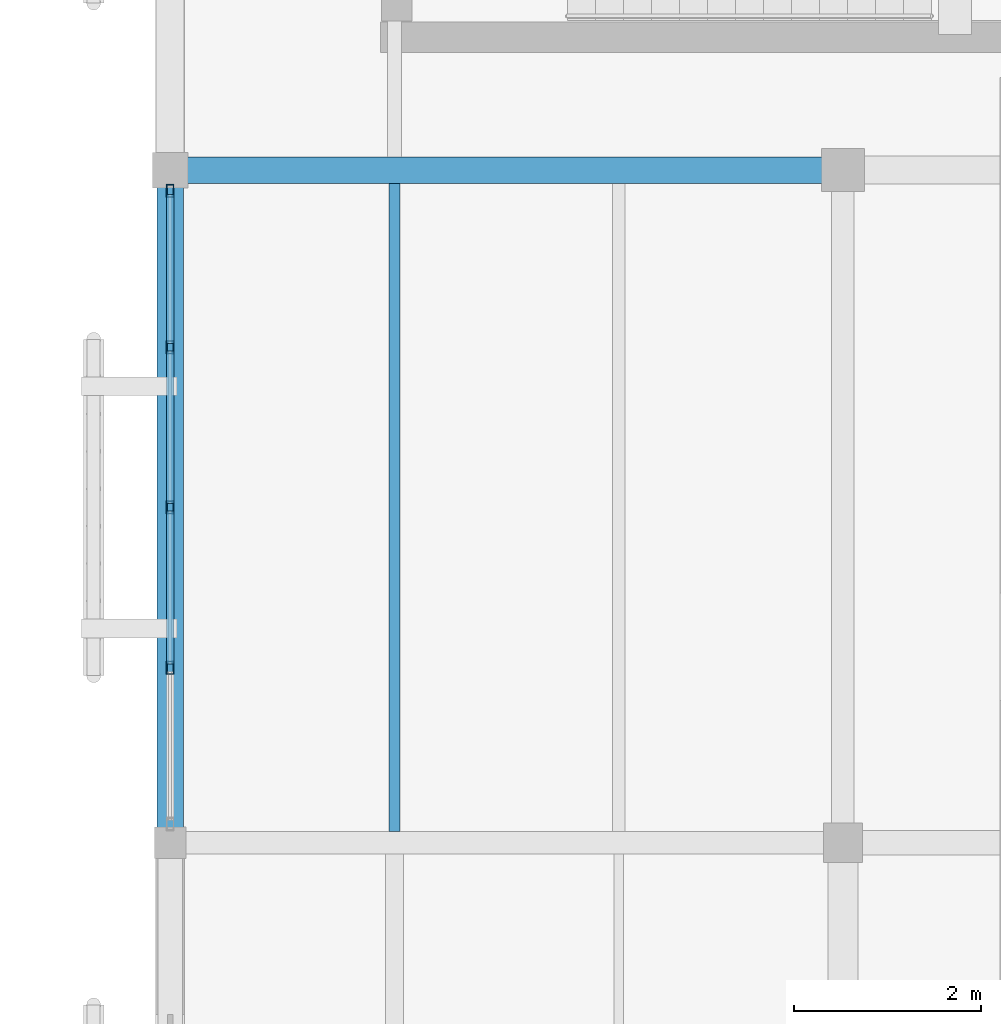
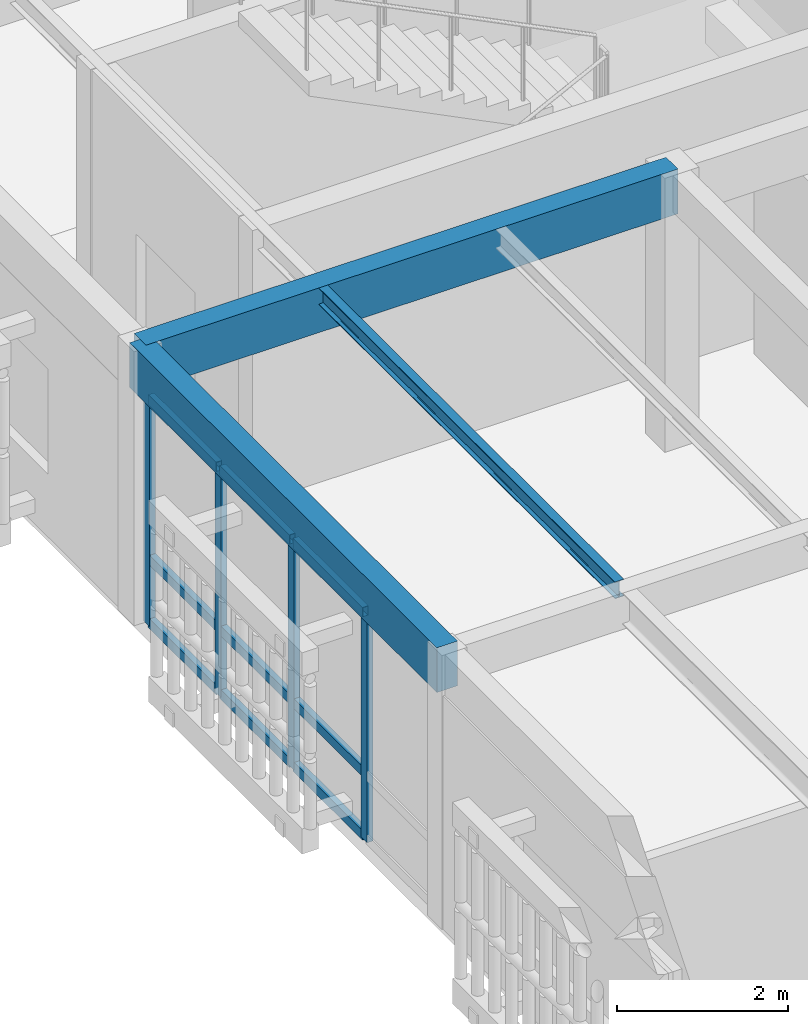
# One storey, part 96 of 217: 13 members, 3 beams, 1 element without a shape of its own.
"""IFC4 building model written with IfcOpenShell, lengths in metres."""

from ifc_helpers import new_model, si_unit, direction, frame, origin, origin_2d, place, context, subcontext, project, spatial, rectangle, hollow_rectangle, i_section, extrude, material, layer, layer_set, material_profile, profile_set, type_object, element, aggregate, save


model = new_model("IFC4")

# Units and contexts
model_context = context("Model", 3, precision=1e-05, world=origin(), true_north=direction((0.0, 1.0)))
body_context = subcontext(model_context, "Body", "Model", "MODEL_VIEW")
ifc_project = project(units=[si_unit("LENGTHUNIT", "METRE"), si_unit("AREAUNIT", "SQUARE_METRE"), si_unit("VOLUMEUNIT", "CUBIC_METRE"), si_unit("PLANEANGLEUNIT", "RADIAN"), si_unit("MASSUNIT", "GRAM", prefix="KILO")], contexts=[model_context])

# Site, building, storey
site_placement = place(None, origin())
site = spatial("IfcSite", under=ifc_project, at=site_placement, CompositionType="ELEMENT")
building_placement = place(site_placement, origin())
building = spatial("IfcBuilding", under=site, at=building_placement, Name="Mazaris Harbour Polytechnic", CompositionType="ELEMENT")
storey_placement = place(building_placement, frame((0.0, 0.0, 9.60009765625)))
storey = spatial("IfcBuildingStorey", under=building, at=storey_placement, Name="L02", CompositionType="ELEMENT", Elevation=9.60009765625)

# Curtain wall, members
ifc_material_1 = material(Name="Anodised Bronze Aluminium and Low-E Glass", Category="aluminium")
ifc_layer = layer(ifc_material_1, 0.169921875, Name="Anodised Bronze Aluminium and Low-E Glass")
ifc_layer_set = layer_set([ifc_layer], Name="Anodised Bronze Aluminium and Low-E Glass")
curtain_wall_type = type_object("IfcCurtainWallType", Name="Studio North-Light Curtain Wall", PredefinedType="NOTDEFINED", material=ifc_layer_set)
curtain_wall_placement = place(storey_placement, origin())
curtain_wall = element("IfcCurtainWall", 1, at=curtain_wall_placement, inside=storey, type_object=curtain_wall_type, Name="V5 L02 Curtain Wall 232", PredefinedType="NOTDEFINED")
ifc_material_2 = material(Name="Anodised Bronze Steel S355", Category="steel")
ifc_material_profile_1 = material_profile(ifc_material_2, hollow_rectangle(XDim=0.080078125, YDim=0.139892578125, WallThickness=0.00634765625, at=origin_2d()), Name="RHS 80x140x6.3")
ifc_profile_set_1 = profile_set([ifc_material_profile_1], Name="Anodised Bronze Steel S355")
member_type_1 = type_object("IfcMemberType", Name="Curtain Mullion RHS80x140", PredefinedType="MULLION", material=ifc_profile_set_1)
member_1_placement = place(storey_placement, frame((122.39990234375, 63.075927734375, 0.0), z_axis=(0.0, 0.0, 1.0), x_axis=(-1.0, 0.0, 0.0)))
member_1 = element("IfcMember", 2, at=member_1_placement, type_object=member_type_1, Name="CW-03 mullion 2", PredefinedType="MULLION", context=body_context, shape_type="SweptSolid", body=[
    extrude(hollow_rectangle(XDim=0.080078125, YDim=0.139892578125, WallThickness=0.00634765625, at=origin_2d()), origin(), (0.0, 0.0, 1.0), 3.27001953125),
])
member_2_placement = place(storey_placement, frame((122.39990234375, 64.7900390625, 0.0), z_axis=(0.0, 0.0, 1.0), x_axis=(-1.0, 0.0, 0.0)))
member_2 = element("IfcMember", 3, at=member_2_placement, type_object=member_type_1, Name="CW-03 mullion 3", PredefinedType="MULLION", context=body_context, shape_type="SweptSolid", body=[
    extrude(hollow_rectangle(XDim=0.080078125, YDim=0.139892578125, WallThickness=0.00634765625, at=origin_2d()), origin(), (0.0, 0.0, 1.0), 3.27001953125),
])
member_3_placement = place(storey_placement, frame((122.39990234375, 66.50390625, 0.0), z_axis=(0.0, 0.0, 1.0), x_axis=(-1.0, 0.0, 0.0)))
member_3 = element("IfcMember", 4, at=member_3_placement, type_object=member_type_1, Name="CW-03 mullion 4", PredefinedType="MULLION", context=body_context, shape_type="SweptSolid", body=[
    extrude(hollow_rectangle(XDim=0.080078125, YDim=0.139892578125, WallThickness=0.00634765625, at=origin_2d()), origin(), (0.0, 0.0, 1.0), 3.27001953125),
])
member_4_placement = place(storey_placement, frame((122.39990234375, 68.177978515625, 0.0), z_axis=(0.0, 0.0, 1.0), x_axis=(-1.0, 0.0, 0.0)))
member_4 = element("IfcMember", 5, at=member_4_placement, type_object=member_type_1, Name="CW-03 mullion 5", PredefinedType="MULLION", context=body_context, shape_type="SweptSolid", body=[
    extrude(hollow_rectangle(XDim=0.080078125, YDim=0.139892578125, WallThickness=0.00634765625, at=origin_2d()), origin(), (0.0, 0.0, 1.0), 3.27001953125),
])
ifc_material_3 = material(Name="Anodised Bronze Steel S355", Category="steel")
ifc_material_profile_2 = material_profile(ifc_material_3, hollow_rectangle(XDim=0.080078125, YDim=0.139892578125, WallThickness=0.00634765625, at=origin_2d()), Name="RHS 80x140x6.3")
ifc_profile_set_2 = profile_set([ifc_material_profile_2], Name="Anodised Bronze Steel S355")
member_type_2 = type_object("IfcMemberType", Name="Curtain Transom RHS80x140", PredefinedType="USERDEFINED", material=ifc_profile_set_2)
member_5_placement = place(storey_placement, frame((122.39990234375, 63.115966796875, 0.039794921875), z_axis=(0.0, 1.0, 0.0), x_axis=(-1.0, 0.0, 0.0)))
member_5 = element("IfcMember", 6, at=member_5_placement, type_object=member_type_2, Name="CW-03 transom 2.1", ObjectType="TRANSOM", PredefinedType="USERDEFINED", context=body_context, shape_type="SweptSolid", body=[
    extrude(hollow_rectangle(XDim=0.080078125, YDim=0.139892578125, WallThickness=0.00634765625, at=origin_2d()), origin(), (0.0, 0.0, 1.0), 1.634033203125),
])
member_6_placement = place(storey_placement, frame((122.39990234375, 63.115966796875, 0.949951171875), z_axis=(0.0, 1.0, 0.0), x_axis=(-1.0, 0.0, 0.0)))
member_6 = element("IfcMember", 7, at=member_6_placement, type_object=member_type_2, Name="CW-03 transom 2.2", ObjectType="TRANSOM", PredefinedType="USERDEFINED", context=body_context, shape_type="SweptSolid", body=[
    extrude(hollow_rectangle(XDim=0.080078125, YDim=0.139892578125, WallThickness=0.00634765625, at=origin_2d()), origin(), (0.0, 0.0, 1.0), 1.634033203125),
])
member_7_placement = place(storey_placement, frame((122.39990234375, 63.115966796875, 3.22998046875), z_axis=(0.0, 1.0, 0.0), x_axis=(-1.0, 0.0, 0.0)))
member_7 = element("IfcMember", 8, at=member_7_placement, type_object=member_type_2, Name="CW-03 transom 2.3", ObjectType="TRANSOM", PredefinedType="USERDEFINED", context=body_context, shape_type="SweptSolid", body=[
    extrude(hollow_rectangle(XDim=0.080078125, YDim=0.139892578125, WallThickness=0.00634765625, at=origin_2d()), origin(), (0.0, 0.0, 1.0), 1.634033203125),
])
member_8_placement = place(storey_placement, frame((122.39990234375, 64.830078125, 0.039794921875), z_axis=(0.0, 1.0, 0.0), x_axis=(-1.0, 0.0, 0.0)))
member_8 = element("IfcMember", 9, at=member_8_placement, type_object=member_type_2, Name="CW-03 transom 3.1", ObjectType="TRANSOM", PredefinedType="USERDEFINED", context=body_context, shape_type="SweptSolid", body=[
    extrude(hollow_rectangle(XDim=0.080078125, YDim=0.139892578125, WallThickness=0.00634765625, at=origin_2d()), origin(), (0.0, 0.0, 1.0), 1.634033203125),
])
member_9_placement = place(storey_placement, frame((122.39990234375, 64.830078125, 0.949951171875), z_axis=(0.0, 1.0, 0.0), x_axis=(-1.0, 0.0, 0.0)))
member_9 = element("IfcMember", 10, at=member_9_placement, type_object=member_type_2, Name="CW-03 transom 3.2", ObjectType="TRANSOM", PredefinedType="USERDEFINED", context=body_context, shape_type="SweptSolid", body=[
    extrude(hollow_rectangle(XDim=0.080078125, YDim=0.139892578125, WallThickness=0.00634765625, at=origin_2d()), origin(), (0.0, 0.0, 1.0), 1.634033203125),
])
member_10_placement = place(storey_placement, frame((122.39990234375, 64.830078125, 3.22998046875), z_axis=(0.0, 1.0, 0.0), x_axis=(-1.0, 0.0, 0.0)))
member_10 = element("IfcMember", 11, at=member_10_placement, type_object=member_type_2, Name="CW-03 transom 3.3", ObjectType="TRANSOM", PredefinedType="USERDEFINED", context=body_context, shape_type="SweptSolid", body=[
    extrude(hollow_rectangle(XDim=0.080078125, YDim=0.139892578125, WallThickness=0.00634765625, at=origin_2d()), origin(), (0.0, 0.0, 1.0), 1.634033203125),
])
member_11_placement = place(storey_placement, frame((122.39990234375, 66.5439453125, 0.039794921875), z_axis=(0.0, 1.0, 0.0), x_axis=(-1.0, 0.0, 0.0)))
member_11 = element("IfcMember", 12, at=member_11_placement, type_object=member_type_2, Name="CW-03 transom 4.1", ObjectType="TRANSOM", PredefinedType="USERDEFINED", context=body_context, shape_type="SweptSolid", body=[
    extrude(hollow_rectangle(XDim=0.080078125, YDim=0.139892578125, WallThickness=0.00634765625, at=origin_2d()), origin(), (0.0, 0.0, 1.0), 1.593994140625),
])
member_12_placement = place(storey_placement, frame((122.39990234375, 66.5439453125, 0.949951171875), z_axis=(0.0, 1.0, 0.0), x_axis=(-1.0, 0.0, 0.0)))
member_12 = element("IfcMember", 13, at=member_12_placement, type_object=member_type_2, Name="CW-03 transom 4.2", ObjectType="TRANSOM", PredefinedType="USERDEFINED", context=body_context, shape_type="SweptSolid", body=[
    extrude(hollow_rectangle(XDim=0.080078125, YDim=0.139892578125, WallThickness=0.00634765625, at=origin_2d()), origin(), (0.0, 0.0, 1.0), 1.593994140625),
])
member_13_placement = place(storey_placement, frame((122.39990234375, 66.5439453125, 3.22998046875), z_axis=(0.0, 1.0, 0.0), x_axis=(-1.0, 0.0, 0.0)))
member_13 = element("IfcMember", 14, at=member_13_placement, type_object=member_type_2, Name="CW-03 transom 4.3", ObjectType="TRANSOM", PredefinedType="USERDEFINED", context=body_context, shape_type="SweptSolid", body=[
    extrude(hollow_rectangle(XDim=0.080078125, YDim=0.139892578125, WallThickness=0.00634765625, at=origin_2d()), origin(), (0.0, 0.0, 1.0), 1.593994140625),
])
aggregate(curtain_wall, [member_1, member_2, member_3, member_4, member_5, member_6, member_7, member_8, member_9, member_10, member_11, member_12, member_13])

# Beams
ifc_material_4 = material(Name="Glulam GL32h", Category="wood")
ifc_material_profile_3 = material_profile(ifc_material_4, rectangle(XDim=0.280029296875, YDim=0.639892578125, at=origin_2d()), Name="RECT280x640")
ifc_profile_set_3 = profile_set([ifc_material_profile_3], Name="Glulam GL32h")
beam_type_1 = type_object("IfcBeamType", Name="Glulam Girder 280x640", PredefinedType="BEAM", material=ifc_profile_set_3)
beam_1_placement = place(storey_placement, frame((122.39990234375, 68.39990234375, 3.599853515625), z_axis=(1.0, 0.0, 0.0), x_axis=(0.0, 1.0, 0.0)))
element("IfcBeam", 15, at=beam_1_placement, inside=storey, type_object=beam_type_1, Name="V5 L02 Girder 3137", PredefinedType="BEAM", context=body_context, shape_type="SweptSolid", body=[
    extrude(rectangle(XDim=0.280029296875, YDim=0.639892578125, at=origin_2d()), origin(), (0.0, 0.0, 1.0), 7.2001953125),
])
ifc_material_5 = material(Name="Glulam GL32h", Category="wood")
ifc_material_profile_4 = material_profile(ifc_material_5, rectangle(XDim=0.280029296875, YDim=0.639892578125, at=origin_2d()), Name="RECT280x640")
ifc_profile_set_4 = profile_set([ifc_material_profile_4], Name="Glulam GL32h")
beam_type_2 = type_object("IfcBeamType", Name="Glulam Girder 280x640 Exterior", PredefinedType="BEAM", material=ifc_profile_set_4)
beam_2_placement = place(storey_placement, frame((122.39990234375, 61.199951171875, 3.599853515625), z_axis=(0.0, 1.0, 0.0), x_axis=(-1.0, 0.0, 0.0)))
element("IfcBeam", 16, at=beam_2_placement, inside=storey, type_object=beam_type_2, Name="V5 L02 Tie Girder 3172", PredefinedType="BEAM", context=body_context, shape_type="SweptSolid", body=[
    extrude(rectangle(XDim=0.280029296875, YDim=0.639892578125, at=origin_2d()), origin(), (0.0, 0.0, 1.0), 7.199951171875),
])
ifc_material_6 = material(Name="Steel S355", Category="steel")
ifc_material_profile_5 = material_profile(ifc_material_6, i_section(OverallWidth=0.1201171875, OverallDepth=0.239990234375, WebThickness=0.006103515625, FlangeThickness=0.009765625, FilletRadius=0.014892578125, at=origin_2d()), Name="IPE 240")
ifc_profile_set_5 = profile_set([ifc_material_profile_5], Name="Steel S355")
beam_type_3 = type_object("IfcBeamType", Name="Steel Joist IPE240", PredefinedType="JOIST", material=ifc_profile_set_5)
beam_3_placement = place(storey_placement, frame((124.800048828125, 61.320068359375, 3.7998046875), z_axis=(0.0, 1.0, 0.0), x_axis=(-1.0, 0.0, 0.0)))
element("IfcBeam", 17, at=beam_3_placement, inside=storey, type_object=beam_type_3, Name="V5 L02 Floor Joist 3228", PredefinedType="JOIST", context=body_context, shape_type="SweptSolid", body=[
    extrude(i_section(OverallWidth=0.1201171875, OverallDepth=0.239990234375, WebThickness=0.006103515625, FlangeThickness=0.009765625, FilletRadius=0.014892578125, at=origin_2d()), origin(), (0.0, 0.0, 1.0), 6.93994140625),
])

save(model, "model.ifc")
